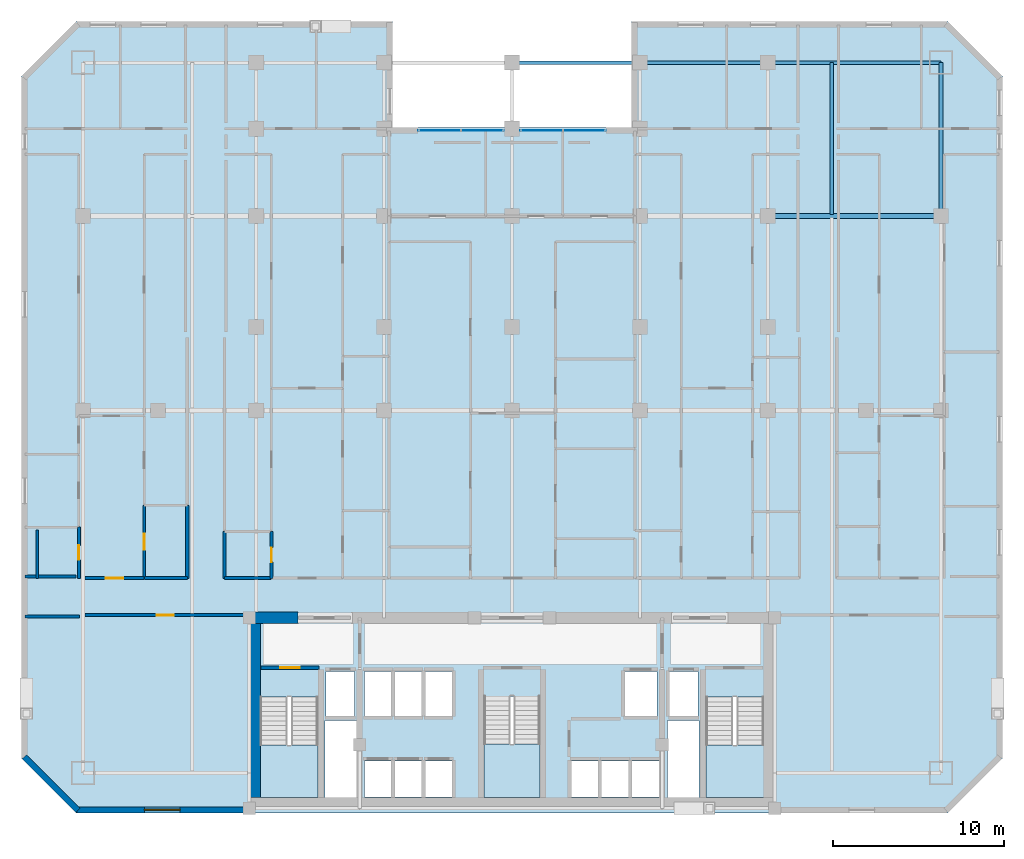
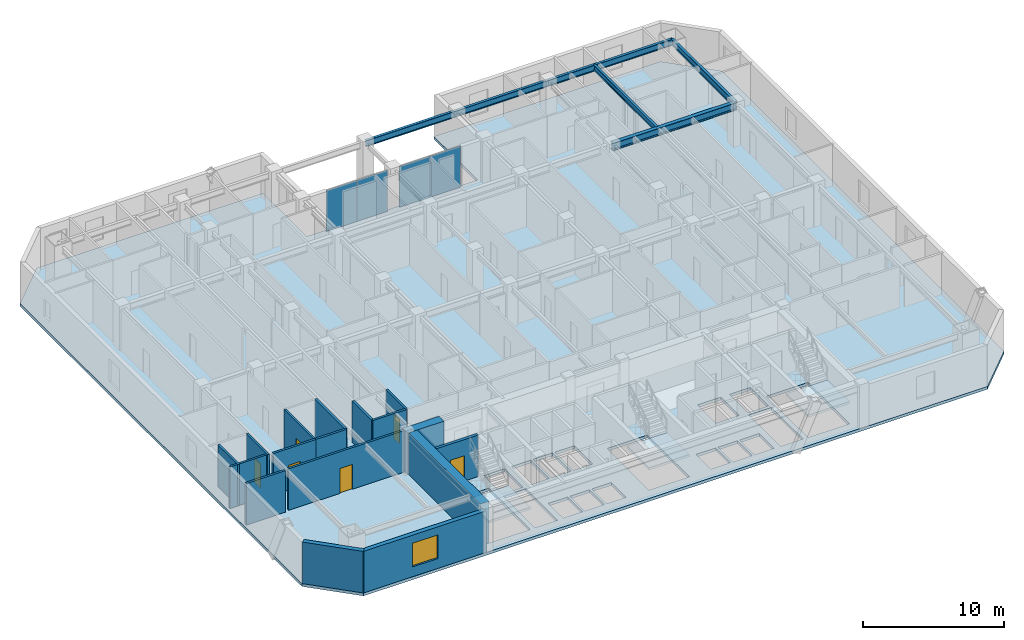
# One storey, part 6 of 14: 17 walls, 6 beams, 6 doors, 4 plates, 4 slabs, 1 window, 7 openings, 5 elements without a shape of their own.
"""IFC4 building model written with IfcOpenShell, lengths in metres."""

from ifc_helpers import new_model, si_unit, direction, frame, frame_2d, origin, origin_2d, place, context, subcontext, project, spatial, polyline, rectangle, i_section, outline, extrude, material, layer, layer_set, material_profile, profile_set, type_object, element, fill, aggregate, save


model = new_model("IFC4")

# Units and contexts
model_context = context("Model", 3, precision=1e-05, world=origin(), true_north=direction((0.0, 1.0)))
body_context = subcontext(model_context, "Body", "Model", "MODEL_VIEW")
ifc_project = project(units=[si_unit("LENGTHUNIT", "METRE"), si_unit("AREAUNIT", "SQUARE_METRE"), si_unit("VOLUMEUNIT", "CUBIC_METRE"), si_unit("PLANEANGLEUNIT", "RADIAN"), si_unit("MASSUNIT", "GRAM", prefix="KILO")], contexts=[model_context])

# Site, building, storey
site_placement = place(None, origin())
site = spatial("IfcSite", under=ifc_project, at=site_placement, CompositionType="ELEMENT")
building_placement = place(site_placement, origin())
building = spatial("IfcBuilding", under=site, at=building_placement, Name="Ventersveld Concourse Tower", CompositionType="ELEMENT")
storey_placement = place(building_placement, frame((0.0, 0.0, 81.050048828125)))
storey = spatial("IfcBuildingStorey", under=building, at=storey_placement, Name="L19", CompositionType="ELEMENT", Elevation=81.050048828125)

# Beams
ifc_material_1 = material(Name="Structural steel S355J2", Category="steel")
ifc_material_profile_1 = material_profile(ifc_material_1, i_section(OverallWidth=0.19140625, OverallDepth=0.4599609375, WebThickness=0.010009765625, FlangeThickness=0.01611328125, FilletRadius=0.01025390625, at=origin_2d()), Name="UB 457x191x82")
ifc_profile_set_1 = profile_set([ifc_material_profile_1], Name="Structural steel S355J2")
beam_type_1 = type_object("IfcBeamType", Name="BM-UB457H", PredefinedType="BEAM", material=ifc_profile_set_1)
beam_1_placement = place(storey_placement, frame((47.5, 35.094970703125, 3.369873046875), z_axis=(0.0, 1.0, 0.0), x_axis=(-1.0, 0.0, 0.0)))
element("IfcBeam", 1, at=beam_1_placement, inside=storey, type_object=beam_type_1, Name="L19 N-S Composite Floor Beam North X=47.50", PredefinedType="BEAM", context=body_context, shape_type="SweptSolid", body=[
    extrude(i_section(OverallWidth=0.19140625, OverallDepth=0.4599609375, WebThickness=0.010009765625, FlangeThickness=0.01611328125, FilletRadius=0.01025390625, at=origin_2d()), origin(), (0.0, 0.0, 1.0), 8.905029296875),
])
ifc_material_profile_2 = material_profile(ifc_material_1, i_section(OverallWidth=0.311279296875, OverallDepth=0.6357421875, WebThickness=0.018310546875, FlangeThickness=0.031494140625, FilletRadius=0.0166015625, at=origin_2d()), Name="UB 610x305x238")
ifc_profile_set_2 = profile_set([ifc_material_profile_2], Name="Structural steel S355J2")
beam_type_2 = type_object("IfcBeamType", Name="GRD-UB610H", PredefinedType="USERDEFINED", material=ifc_profile_set_2)
beam_2_placement = place(storey_placement, frame((43.75, 35.0, 3.281982421875), z_axis=(1.0, 0.0, 0.0), x_axis=(0.0, 1.0, 0.0)))
element("IfcBeam", 2, at=beam_2_placement, inside=storey, type_object=beam_type_2, Name="L19 E-W Grid Girder Y=35.00 #6", ObjectType="GIRDER", PredefinedType="USERDEFINED", context=body_context, shape_type="SweptSolid", body=[
    extrude(i_section(OverallWidth=0.311279296875, OverallDepth=0.6357421875, WebThickness=0.018310546875, FlangeThickness=0.031494140625, FilletRadius=0.0166015625, at=origin_2d()), origin(), (0.0, 0.0, 1.0), 10.14990234375),
])
ifc_material_profile_3 = material_profile(ifc_material_1, i_section(OverallWidth=0.2119140625, OverallDepth=0.54443359375, WebThickness=0.0126953125, FlangeThickness=0.021240234375, FilletRadius=0.0126953125, at=origin_2d()), Name="UB 533x210x122")
ifc_profile_set_3 = profile_set([ifc_material_profile_3], Name="Structural steel S355J2")
beam_type_3 = type_object("IfcBeamType", Name="SPD-UB533", PredefinedType="SPANDREL", material=ifc_profile_set_3)
beam_3_placement = place(storey_placement, frame((53.89990234375, 35.0, 3.32763671875), z_axis=(0.0, 1.0, 0.0), x_axis=(-1.0, 0.0, 0.0)))
element("IfcBeam", 3, at=beam_3_placement, inside=storey, type_object=beam_type_3, Name="L19 East Spandrel Beam N", PredefinedType="SPANDREL", context=body_context, shape_type="SweptSolid", body=[
    extrude(i_section(OverallWidth=0.2119140625, OverallDepth=0.54443359375, WebThickness=0.0126953125, FlangeThickness=0.021240234375, FilletRadius=0.0126953125, at=origin_2d()), origin(), (0.0, 0.0, 1.0), 9.0),
])
for number, where, z_axis, x_axis, name in (
    (4, (28.75, 44.0, 3.32763671875), (1.0, 0.0, 0.0), (0.0, 1.0, 0.0), "L19 North Spandrel Girder Y=44.00 #4"),
    (5, (36.25, 44.0, 3.32763671875), (1.0, 0.0, 0.0), (0.0, 1.0, 0.0), "L19 North Spandrel Girder Y=44.00 #5"),
):
    element("IfcBeam", number, at=place(storey_placement, frame(where, z_axis=z_axis, x_axis=x_axis)), inside=storey, type_object=beam_type_3, Name=name, PredefinedType="SPANDREL", context=body_context, shape_type="SweptSolid", body=[
        extrude(i_section(OverallWidth=0.2119140625, OverallDepth=0.54443359375, WebThickness=0.0126953125, FlangeThickness=0.021240234375, FilletRadius=0.0126953125, at=origin_2d()), origin(), (0.0, 0.0, 1.0), 7.5),
    ])
beam_4_placement = place(storey_placement, frame((43.75, 44.0, 3.32763671875), z_axis=(1.0, 0.0, 0.0), x_axis=(0.0, 1.0, 0.0)))
element("IfcBeam", 6, at=beam_4_placement, inside=storey, type_object=beam_type_3, Name="L19 North Spandrel Girder Y=44.00 #6", PredefinedType="SPANDREL", context=body_context, shape_type="SweptSolid", body=[
    extrude(i_section(OverallWidth=0.2119140625, OverallDepth=0.54443359375, WebThickness=0.0126953125, FlangeThickness=0.021240234375, FilletRadius=0.0126953125, at=origin_2d()), origin(), (0.0, 0.0, 1.0), 10.14990234375),
])

# Curtain wall, plates
ifc_material_2 = material(Name="Anodised aluminium EN AW-6063-T6", Category="aluminium")
curtain_wall_type = type_object("IfcCurtainWallType", Name="CW-SG-4", PredefinedType="NOTDEFINED", material=ifc_material_2)
curtain_wall_1_placement = place(storey_placement, origin())
curtain_wall_1 = element("IfcCurtainWall", 7, at=curtain_wall_1_placement, inside=storey, type_object=curtain_wall_type, Name="L19 L19 Sky Garden Recessed Curtain Wall", PredefinedType="NOTDEFINED")
ifc_material_3 = material(Name="Low-E double glazing IGU", Category="glass")
ifc_layer_1 = layer(ifc_material_3, 0.02392578125)
ifc_layer_set_1 = layer_set([ifc_layer_1], Name="Low-E double glazing IGU")
plate_type = type_object("IfcPlateType", Name="CWP-GLZ-24", PredefinedType="CURTAIN_PANEL", material=ifc_layer_set_1)
plate_1_placement = place(storey_placement, frame((24.5048828125, 40.02490234375, 0.02001953125), z_axis=(0.0, 0.0, 1.0), x_axis=(1.0, 0.0, 0.0)))
plate_1 = element("IfcPlate", 8, at=plate_1_placement, type_object=plate_type, Name="CW-L19-SG-S1 Glazed Panel 01-1", PredefinedType="CURTAIN_PANEL", context=body_context, shape_type="SweptSolid", body=[
    extrude(rectangle(XDim=2.5, YDim=0.02392578125, at=origin_2d()), origin(), (0.0, 0.0, 1.0), 3.56005859375),
])
plate_2_placement = place(storey_placement, frame((27.014892578125, 40.02490234375, 0.02001953125), z_axis=(0.0, 0.0, 1.0), x_axis=(1.0, 0.0, 0.0)))
plate_2 = element("IfcPlate", 9, at=plate_2_placement, type_object=plate_type, Name="CW-L19-SG-S1 Glazed Panel 02-1", PredefinedType="CURTAIN_PANEL", context=body_context, shape_type="SweptSolid", body=[
    extrude(rectangle(XDim=2.5, YDim=0.02392578125, at=origin_2d()), origin(), (0.0, 0.0, 1.0), 3.56005859375),
])
aggregate(curtain_wall_1, [plate_1, plate_2])

curtain_wall_2_placement = place(storey_placement, origin())
curtain_wall_2 = element("IfcCurtainWall", 10, at=curtain_wall_2_placement, inside=storey, type_object=curtain_wall_type, Name="L19 L19 Sky Garden Recessed Curtain Wall", PredefinedType="NOTDEFINED")
plate_3_placement = place(storey_placement, frame((30.485107421875, 40.02490234375, 0.02001953125), z_axis=(0.0, 0.0, 1.0), x_axis=(1.0, 0.0, 0.0)))
plate_3 = element("IfcPlate", 11, at=plate_3_placement, type_object=plate_type, Name="CW-L19-SG-S2 Glazed Panel 01-1", PredefinedType="CURTAIN_PANEL", context=body_context, shape_type="SweptSolid", body=[
    extrude(rectangle(XDim=2.5, YDim=0.02392578125, at=origin_2d()), origin(), (0.0, 0.0, 1.0), 3.56005859375),
])
plate_4_placement = place(storey_placement, frame((32.9951171875, 40.02490234375, 0.02001953125), z_axis=(0.0, 0.0, 1.0), x_axis=(1.0, 0.0, 0.0)))
plate_4 = element("IfcPlate", 12, at=plate_4_placement, type_object=plate_type, Name="CW-L19-SG-S2 Glazed Panel 02-1", PredefinedType="CURTAIN_PANEL", context=body_context, shape_type="SweptSolid", body=[
    extrude(rectangle(XDim=2.5, YDim=0.02392578125, at=origin_2d()), origin(), (0.0, 0.0, 1.0), 3.56005859375),
])
aggregate(curtain_wall_2, [plate_3, plate_4])

# Slab
ifc_material_4 = material(Name="Concrete C50/60", Category="concrete")
ifc_layer_2 = layer(ifc_material_4, 0.25)
ifc_layer_set_2 = layer_set([ifc_layer_2], Name="Concrete C50/60")
slab_type_1 = type_object("IfcSlabType", Name="SL-FLR-250", PredefinedType="FLOOR", material=ifc_layer_set_2)
slab_1_placement = place(storey_placement, frame((0.0, 0.0, -0.25)))
element("IfcSlab", 13, at=slab_1_placement, inside=storey, type_object=slab_type_1, Name="L19 Composite Floor Slab", PredefinedType="FLOOR", context=body_context, shape_type="SweptSolid", body=[
    extrude(outline(polyline([(3.199951171875, 0.0), (54.300048828125, 0.0), (57.5, 3.199951171875), (57.5, 43.199951171875), (54.300048828125, 46.39990234375), (35.75, 46.39990234375), (35.75, 40.199951171875), (21.75, 40.199951171875), (21.75, 46.39990234375), (3.199951171875, 46.39990234375), (0.0, 43.199951171875), (0.0, 3.199951171875), (3.199951171875, 0.0)]), holes=[polyline([(13.97998046875, 6.794921875), (13.97998046875, 0.89990234375), (17.3798828125, 0.89990234375), (17.3798828125, 6.794921875), (13.97998046875, 6.794921875)]), polyline([(40.1201171875, 6.794921875), (40.1201171875, 0.89990234375), (43.52001953125, 0.89990234375), (43.52001953125, 6.794921875), (40.1201171875, 6.794921875)]), polyline([(27.10009765625, 6.844970703125), (27.10009765625, 0.89990234375), (30.39990234375, 0.89990234375), (30.39990234375, 6.844970703125), (27.10009765625, 6.844970703125)]), polyline([(17.85009765625, 5.699951171875), (19.530029296875, 5.699951171875), (19.530029296875, 8.300048828125), (17.85009765625, 8.300048828125), (17.85009765625, 5.699951171875)]), polyline([(37.969970703125, 5.699951171875), (39.64990234375, 5.699951171875), (39.64990234375, 8.300048828125), (37.969970703125, 8.300048828125), (37.969970703125, 5.699951171875)]), polyline([(35.35009765625, 5.699951171875), (37.25, 5.699951171875), (37.25, 8.300048828125), (35.35009765625, 8.300048828125), (35.35009765625, 5.699951171875)]), polyline([(20.090087890625, 0.949951171875), (21.68994140625, 0.949951171875), (21.68994140625, 3.050048828125), (20.090087890625, 3.050048828125), (20.090087890625, 0.949951171875)]), polyline([(21.8701171875, 0.949951171875), (23.469970703125, 0.949951171875), (23.469970703125, 3.050048828125), (21.8701171875, 3.050048828125), (21.8701171875, 0.949951171875)]), polyline([(23.64990234375, 0.949951171875), (25.25, 0.949951171875), (25.25, 3.050048828125), (23.64990234375, 3.050048828125), (23.64990234375, 0.949951171875)]), polyline([(32.2099609375, 0.949951171875), (33.81005859375, 0.949951171875), (33.81005859375, 3.050048828125), (32.2099609375, 3.050048828125), (32.2099609375, 0.949951171875)]), polyline([(33.989990234375, 0.949951171875), (35.590087890625, 0.949951171875), (35.590087890625, 3.050048828125), (33.989990234375, 3.050048828125), (33.989990234375, 0.949951171875)]), polyline([(35.77001953125, 0.949951171875), (37.3701171875, 0.949951171875), (37.3701171875, 3.050048828125), (35.77001953125, 3.050048828125), (35.77001953125, 0.949951171875)]), polyline([(20.090087890625, 5.699951171875), (21.68994140625, 5.699951171875), (21.68994140625, 8.300048828125), (20.090087890625, 8.300048828125), (20.090087890625, 5.699951171875)]), polyline([(21.8701171875, 5.699951171875), (23.469970703125, 5.699951171875), (23.469970703125, 8.300048828125), (21.8701171875, 8.300048828125), (21.8701171875, 5.699951171875)]), polyline([(23.64990234375, 5.699951171875), (25.25, 5.699951171875), (25.25, 8.300048828125), (23.64990234375, 8.300048828125), (23.64990234375, 5.699951171875)]), polyline([(17.780029296875, 0.919921875), (19.6201171875, 0.919921875), (19.6201171875, 5.419921875), (17.780029296875, 5.419921875), (17.780029296875, 0.919921875)]), polyline([(37.8798828125, 0.919921875), (39.719970703125, 0.919921875), (39.719970703125, 5.419921875), (37.8798828125, 5.419921875), (37.8798828125, 0.919921875)])]), origin(), (0.0, 0.0, 1.0), 0.25),
])

# Stair, slab
stair_type_1 = type_object("IfcStairType", Name="ST-DOG-160", PredefinedType="HALF_TURN_STAIR", material=ifc_material_4)
stair_1_placement = place(storey_placement, origin())
stair_1 = element("IfcStair", 14, at=stair_1_placement, inside=storey, type_object=stair_type_1, Name="L19 Protected Tower Escape Stair ST-01", PredefinedType="HALF_TURN_STAIR")
ifc_layer_3 = layer(ifc_material_4, 0.199951171875)
ifc_layer_set_3 = layer_set([ifc_layer_3], Name="Concrete C50/60")
slab_type_2 = type_object("IfcSlabType", Name="SL-LND-200", PredefinedType="LANDING", material=ifc_layer_set_3)
slab_2_placement = place(storey_placement, frame((0.0, 0.0, 1.724853515625)))
slab_2 = element("IfcSlab", 15, at=slab_2_placement, type_object=slab_type_2, Name="ST-01 landing 1", PredefinedType="LANDING", context=body_context, shape_type="SweptSolid", body=[
    extrude(outline(polyline([(13.97998046875, 4.0), (13.97998046875, 0.89990234375), (17.3798828125, 0.89990234375), (17.3798828125, 4.0), (13.97998046875, 4.0)])), origin(), (0.0, 0.0, 1.0), 0.2001953125),
])
aggregate(stair_1, [slab_2])

stair_2_placement = place(storey_placement, origin())
stair_2 = element("IfcStair", 16, at=stair_2_placement, inside=storey, type_object=stair_type_1, Name="L19 Protected Tower Escape Stair ST-02", PredefinedType="HALF_TURN_STAIR")
slab_3_placement = place(storey_placement, frame((0.0, 0.0, 1.724853515625)))
slab_3 = element("IfcSlab", 17, at=slab_3_placement, type_object=slab_type_2, Name="ST-02 landing 1", PredefinedType="LANDING", context=body_context, shape_type="SweptSolid", body=[
    extrude(outline(polyline([(40.1201171875, 4.0), (40.1201171875, 0.89990234375), (43.52001953125, 0.89990234375), (43.52001953125, 4.0), (40.1201171875, 4.0)])), origin(), (0.0, 0.0, 1.0), 0.2001953125),
])
aggregate(stair_2, [slab_3])

stair_type_2 = type_object("IfcStairType", Name="ST-DOG-155", PredefinedType="HALF_TURN_STAIR", material=ifc_material_4)
stair_3_placement = place(storey_placement, origin())
stair_3 = element("IfcStair", 18, at=stair_3_placement, inside=storey, type_object=stair_type_2, Name="L19 Protected Central Core Escape Stair ST-03", PredefinedType="HALF_TURN_STAIR")
slab_4_placement = place(storey_placement, frame((0.0, 0.0, 1.724853515625)))
slab_4 = element("IfcSlab", 19, at=slab_4_placement, type_object=slab_type_2, Name="ST-03 landing 1", PredefinedType="LANDING", context=body_context, shape_type="SweptSolid", body=[
    extrude(outline(polyline([(27.10009765625, 4.050048828125), (27.10009765625, 0.89990234375), (30.39990234375, 0.89990234375), (30.39990234375, 4.050048828125), (27.10009765625, 4.050048828125)])), origin(), (0.0, 0.0, 1.0), 0.2001953125),
])
aggregate(stair_3, [slab_4])

# Walls
ifc_material_5 = material(Name="Concrete C60/75", Category="concrete")
ifc_layer_4 = layer(ifc_material_5, 0.699951171875)
ifc_layer_set_4 = layer_set([ifc_layer_4], Name="Concrete C60/75")
wall_type_1 = type_object("IfcWallType", Name="WL-CORE-700", PredefinedType="SHEAR", material=ifc_layer_set_4)
wall_1_placement = place(storey_placement, frame((13.64990234375, 0.919921875, 0.0), z_axis=(0.0, 0.0, 1.0), x_axis=(0.0, 1.0, 0.0)))
element("IfcWall", 20, at=wall_1_placement, inside=storey, type_object=wall_type_1, Name="L19 Rear Core West Shear Wall", PredefinedType="SHEAR", context=body_context, shape_type="SweptSolid", body=[
    extrude(rectangle(XDim=10.530029296875, YDim=0.699951171875, at=frame_2d((5.26513671875, 0.0))), origin(), (0.0, 0.0, 1.0), 3.599853515625),
])
wall_2_placement = place(storey_placement, frame((13.25, 11.449951171875, 0.0), z_axis=(0.0, 0.0, 1.0), x_axis=(1.0, 0.0, 0.0)))
element("IfcWall", 21, at=wall_2_placement, inside=storey, type_object=wall_type_1, Name="L19 Rear Core North Shear Wall NW", PredefinedType="SHEAR", context=body_context, shape_type="SweptSolid", body=[
    extrude(rectangle(XDim=2.949951171875, YDim=0.699951171875, at=frame_2d((1.47509765625, 0.0))), origin(), (0.0, 0.0, 1.0), 3.599853515625),
])

# Wall, opening, door
ifc_material_6 = material(Name="Fire-rated autoclaved aerated masonry blockwork", Category="masonry")
ifc_layer_5 = layer(ifc_material_6, 0.179931640625)
ifc_layer_set_5 = layer_set([ifc_layer_5], Name="Fire-rated autoclaved aerated masonry blockwork")
wall_type_2 = type_object("IfcWallType", Name="WL-CORR-180", PredefinedType="PARTITIONING", material=ifc_layer_set_5)
wall_3_placement = place(storey_placement, frame((3.705078125, 11.60009765625, 0.0), z_axis=(0.0, 0.0, 1.0), x_axis=(1.0, 0.0, 0.0)))
wall_3 = element("IfcWall", 22, at=wall_3_placement, inside=storey, type_object=wall_type_2, Name="L19 Interior Partition SP-L19-SW-GAL-SP-L19-COR", PredefinedType="PARTITIONING", context=body_context, shape_type="SweptSolid", body=[
    extrude(rectangle(XDim=9.43994140625, YDim=0.179931640625, at=frame_2d((4.719970703125, 0.0))), origin(), (0.0, 0.0, 1.0), 3.599853515625),
])
opening_1_placement = place(wall_3_placement, frame((4.219970703125, 0.0, 0.0)))
opening_1 = element("IfcOpeningElement", 23, at=opening_1_placement, cuts=wall_3, Name="Opening FD3", PredefinedType="OPENING", context=body_context, shape_type="SweptSolid", body=[
    extrude(rectangle(XDim=1.0, YDim=2.14990234375, at=frame_2d((0.5, 1.074951171875))), frame((0.0, 0.10009765625, 0.0), z_axis=(0.0, -1.0, 0.0), x_axis=(1.0, 0.0, 0.0)), (0.0, 0.0, 1.0), 0.199951171875),
])
ifc_material_7 = material(Name="Solid-core hardwood veneer timber", Category="wood")
door_type_1 = type_object("IfcDoorType", Name="DR-FLAT-100", OperationType="NOTDEFINED", PredefinedType="DOOR", material=ifc_material_7)
door_1_placement = place(opening_1_placement, origin())
door_1 = element("IfcDoor", 24, at=door_1_placement, inside=storey, type_object=door_type_1, Name="L19 Interior Door SP-L19-SW-GAL to SP-L19-COR (D-L19-0883)", OperationType="SINGLE_SWING_LEFT", OverallHeight=2.14990234375, OverallWidth=1.0, PredefinedType="DOOR", context=body_context, shape_type="SweptSolid", body=[
    extrude(rectangle(XDim=1.0, YDim=2.14990234375, at=frame_2d((0.5, 1.074951171875))), frame((0.0, 0.02490234375, 0.0), z_axis=(0.0, -1.0, 0.0), x_axis=(1.0, 0.0, 0.0)), (0.0, 0.0, 1.0), 0.050048828125),
])
fill(opening_1, door_1)

wall_4_placement = place(storey_placement, frame((3.705078125, 13.77001953125, 0.0), z_axis=(0.0, 0.0, 1.0), x_axis=(1.0, 0.0, 0.0)))
wall_4 = element("IfcWall", 25, at=wall_4_placement, inside=storey, type_object=wall_type_2, Name="L19 Interior Partition SP-L19-COR-SP-L19-19NW-FOY", PredefinedType="PARTITIONING", context=body_context, shape_type="SweptSolid", body=[
    extrude(rectangle(XDim=3.48095703125, YDim=0.179931640625, at=frame_2d((1.740478515625, 0.0))), origin(), (0.0, 0.0, 1.0), 3.599853515625),
])
opening_2_placement = place(wall_4_placement, frame((1.240478515625, 0.0, 0.0)))
opening_2 = element("IfcOpeningElement", 26, at=opening_2_placement, cuts=wall_4, Name="Opening FD3", PredefinedType="OPENING", context=body_context, shape_type="SweptSolid", body=[
    extrude(rectangle(XDim=1.0, YDim=2.14990234375, at=frame_2d((0.5, 1.074951171875))), frame((0.0, 0.10009765625, 0.0), z_axis=(0.0, -1.0, 0.0), x_axis=(1.0, 0.0, 0.0)), (0.0, 0.0, 1.0), 0.199951171875),
])
door_2_placement = place(opening_2_placement, origin())
door_2 = element("IfcDoor", 27, at=door_2_placement, inside=storey, type_object=door_type_1, Name="L19 Interior Door SP-L19-COR to SP-L19-19NW-FOY (FD-L19-0885)", OperationType="SINGLE_SWING_LEFT", OverallHeight=2.14990234375, OverallWidth=1.0, PredefinedType="DOOR", context=body_context, shape_type="SweptSolid", body=[
    extrude(rectangle(XDim=1.0, YDim=2.14990234375, at=frame_2d((0.5, 1.074951171875))), frame((0.0, 0.02490234375, 0.0), z_axis=(0.0, -1.0, 0.0), x_axis=(1.0, 0.0, 0.0)), (0.0, 0.0, 1.0), 0.050048828125),
])
fill(opening_2, door_2)

# Walls
wall_5_placement = place(storey_placement, frame((9.7099609375, 13.764892578125, 0.0), z_axis=(0.0, 0.0, 1.0), x_axis=(0.0, 1.0, 0.0)))
element("IfcWall", 28, at=wall_5_placement, inside=storey, type_object=wall_type_2, Name="L19 Interior Partition SP-L19-COR-SP-L19-19NW-KIT", PredefinedType="PARTITIONING", context=body_context, shape_type="SweptSolid", body=[
    extrude(rectangle(XDim=4.27685546875, YDim=0.179931640625, at=frame_2d((2.138427734375, 0.0))), origin(), (0.0, 0.0, 1.0), 3.599853515625),
])
wall_6_placement = place(storey_placement, frame((7.216064453125, 13.77001953125, 0.0), z_axis=(0.0, 0.0, 1.0), x_axis=(1.0, 0.0, 0.0)))
element("IfcWall", 29, at=wall_6_placement, inside=storey, type_object=wall_type_2, Name="L19 Interior Partition SP-L19-COR-SP-L19-19NW-KIT", PredefinedType="PARTITIONING", context=body_context, shape_type="SweptSolid", body=[
    extrude(rectangle(XDim=2.4990234375, YDim=0.179931640625, at=frame_2d((1.24951171875, 0.0))), origin(), (0.0, 0.0, 1.0), 3.599853515625),
])
wall_7_placement = place(storey_placement, frame((11.885009765625, 13.77001953125, 0.0), z_axis=(0.0, 0.0, 1.0), x_axis=(1.0, 0.0, 0.0)))
element("IfcWall", 30, at=wall_7_placement, inside=storey, type_object=wall_type_2, Name="L19 Interior Partition SP-L19-COR-SP-L19-19CW-BATH", PredefinedType="PARTITIONING", context=body_context, shape_type="SweptSolid", body=[
    extrude(rectangle(XDim=2.7265625, YDim=0.179931640625, at=frame_2d((1.36328125, 0.0))), origin(), (0.0, 0.0, 1.0), 3.599853515625),
])
wall_8_placement = place(storey_placement, frame((11.889892578125, 13.764892578125, 0.0), z_axis=(0.0, 0.0, 1.0), x_axis=(0.0, 1.0, 0.0)))
element("IfcWall", 31, at=wall_8_placement, inside=storey, type_object=wall_type_2, Name="L19 Interior Partition SP-L19-COR-SP-L19-19CW-BATH", PredefinedType="PARTITIONING", context=body_context, shape_type="SweptSolid", body=[
    extrude(rectangle(XDim=2.751708984375, YDim=0.179931640625, at=frame_2d((1.3759765625, 0.0))), origin(), (0.0, 0.0, 1.0), 3.599853515625),
])
wall_9_placement = place(storey_placement, frame((0.2099609375, 11.52001953125, 0.0), z_axis=(0.0, 0.0, 1.0), x_axis=(1.0, 0.0, 0.0)))
element("IfcWall", 32, at=wall_9_placement, inside=storey, type_object=wall_type_2, Name="L19 Room Enclosure Wall SP-L19-SW-GAL", PredefinedType="PARTITIONING", context=body_context, shape_type="SweptSolid", body=[
    extrude(rectangle(XDim=3.177734375, YDim=0.179931640625, at=frame_2d((1.5888671875, 0.0))), origin(), (0.0, 0.0, 1.0), 3.599853515625),
])

# Wall, opening, door
ifc_layer_6 = layer(ifc_material_6, 0.219970703125)
ifc_layer_set_6 = layer_set([ifc_layer_6], Name="Fire-rated autoclaved aerated masonry blockwork")
wall_type_3 = type_object("IfcWallType", Name="WL-HOIST-220", PredefinedType="SOLIDWALL", material=ifc_layer_set_6)
wall_10_placement = place(storey_placement, frame((14.0400390625, 8.52001953125, 0.0), z_axis=(0.0, 0.0, 1.0), x_axis=(1.0, 0.0, 0.0)))
wall_10 = element("IfcWall", 33, at=wall_10_placement, inside=storey, type_object=wall_type_3, Name="L19 Escape Stair ST01 Fire Wall", PredefinedType="SOLIDWALL", context=body_context, shape_type="SweptSolid", body=[
    extrude(rectangle(XDim=3.39990234375, YDim=0.219970703125, at=frame_2d((1.699951171875, 0.0))), origin(), (0.0, 0.0, 1.0), 3.599853515625),
])
opening_3_placement = place(wall_10_placement, frame((1.125, 0.0, 0.0)))
opening_3 = element("IfcOpeningElement", 34, at=opening_3_placement, cuts=wall_10, Name="Opening FD1", PredefinedType="OPENING", context=body_context, shape_type="SweptSolid", body=[
    extrude(rectangle(XDim=1.14990234375, YDim=2.199951171875, at=frame_2d((0.574951171875, 1.10009765625))), frame((0.0, 0.1201171875, 0.0), z_axis=(0.0, -1.0, 0.0), x_axis=(1.0, 0.0, 0.0)), (0.0, 0.0, 1.0), 0.239990234375),
])
ifc_material_8 = material(Name="Galvanised painted steel", Category="steel")
door_type_2 = type_object("IfcDoorType", Name="DR-STAIR-115", OperationType="NOTDEFINED", PredefinedType="DOOR", material=ifc_material_8)
door_3_placement = place(opening_3_placement, origin())
door_3 = element("IfcDoor", 35, at=door_3_placement, inside=storey, type_object=door_type_2, Name="L19 Escape Stair Door ST01 (SD-L19-0874)", OperationType="SINGLE_SWING_LEFT", OverallHeight=2.199951171875, OverallWidth=1.14990234375, PredefinedType="DOOR", context=body_context, shape_type="SweptSolid", body=[
    extrude(rectangle(XDim=1.14990234375, YDim=2.199951171875, at=frame_2d((0.574951171875, 1.10009765625))), frame((0.0, 0.02490234375, 0.0), z_axis=(0.0, -1.0, 0.0), x_axis=(1.0, 0.0, 0.0)), (0.0, 0.0, 1.0), 0.050048828125),
])
fill(opening_3, door_3)

ifc_material_9 = material(Name="Autoclaved aerated masonry blockwork", Category="masonry")
ifc_layer_7 = layer(ifc_material_9, 0.14990234375)
ifc_layer_set_7 = layer_set([ifc_layer_7], Name="Autoclaved aerated masonry blockwork")
wall_type_4 = type_object("IfcWallType", Name="WL-INT-150", PredefinedType="PARTITIONING", material=ifc_layer_set_7)
wall_11_placement = place(storey_placement, frame((7.180908203125, 13.764892578125, 0.0), z_axis=(0.0, 0.0, 1.0), x_axis=(0.0, 1.0, 0.0)))
wall_11 = element("IfcWall", 36, at=wall_11_placement, inside=storey, type_object=wall_type_4, Name="L19 Interior Partition SP-L19-19NW-FOY-SP-L19-19NW-KIT", PredefinedType="PARTITIONING", context=body_context, shape_type="SweptSolid", body=[
    extrude(rectangle(XDim=4.27685546875, YDim=0.14990234375, at=frame_2d((2.138427734375, 0.0))), origin(), (0.0, 0.0, 1.0), 3.599853515625),
])
opening_4_placement = place(wall_11_placement, frame((1.678466796875, 0.0, 0.0)))
opening_4 = element("IfcOpeningElement", 37, at=opening_4_placement, cuts=wall_11, Name="Opening ID1", PredefinedType="OPENING", context=body_context, shape_type="SweptSolid", body=[
    extrude(rectangle(XDim=0.919921875, YDim=2.10009765625, at=frame_2d((0.4599609375, 1.050048828125))), frame((0.0, 0.0849609375, 0.0), z_axis=(0.0, -1.0, 0.0), x_axis=(1.0, 0.0, 0.0)), (0.0, 0.0, 1.0), 0.169921875),
])
door_type_3 = type_object("IfcDoorType", Name="DR-ROOM-092", OperationType="NOTDEFINED", PredefinedType="DOOR", material=ifc_material_7)
door_4_placement = place(opening_4_placement, origin())
door_4 = element("IfcDoor", 38, at=door_4_placement, inside=storey, type_object=door_type_3, Name="L19 Interior Door SP-L19-19NW-FOY to SP-L19-19NW-KIT (D-L19-0894)", OperationType="SINGLE_SWING_RIGHT", OverallHeight=2.10009765625, OverallWidth=0.919921875, PredefinedType="DOOR", context=body_context, shape_type="SweptSolid", body=[
    extrude(rectangle(XDim=0.919921875, YDim=2.10009765625, at=frame_2d((0.4599609375, 1.050048828125))), frame((0.0, 0.02490234375, 0.0), z_axis=(0.0, -1.0, 0.0), x_axis=(1.0, 0.0, 0.0)), (0.0, 0.0, 1.0), 0.050048828125),
])
fill(opening_4, door_4)

# Wall, opening, window
ifc_material_10 = material(Name="Precast concrete C45/55", Category="concrete")
ifc_layer_8 = layer(ifc_material_10, 0.35009765625)
ifc_layer_set_8 = layer_set([ifc_layer_8], Name="Precast concrete C45/55")
wall_type_5 = type_object("IfcWallType", Name="WL-PREC-350", PredefinedType="SOLIDWALL", material=ifc_layer_set_8)
wall_12_placement = place(storey_placement, frame((3.239990234375, 0.179931640625, 0.0), z_axis=(0.0, 0.0, 1.0), x_axis=(1.0, 0.0, 0.0)))
wall_12 = element("IfcWall", 39, at=wall_12_placement, inside=storey, type_object=wall_type_5, Name="L19 South-West Flank Precast Wall", PredefinedType="SOLIDWALL", context=body_context, shape_type="SweptSolid", body=[
    extrude(rectangle(XDim=10.010009765625, YDim=0.35009765625, at=frame_2d((5.0048828125, 0.0))), origin(), (0.0, 0.0, 1.0), 3.599853515625),
])
opening_5_placement = place(wall_12_placement, frame((3.955078125, 0.0, 0.85009765625)))
opening_5 = element("IfcOpeningElement", 40, at=opening_5_placement, cuts=wall_12, Name="Opening W7", PredefinedType="OPENING", context=body_context, shape_type="SweptSolid", body=[
    extrude(rectangle(XDim=2.10009765625, YDim=2.050048828125, at=frame_2d((1.050048828125, 1.02490234375))), frame((0.0, 0.18505859375, 0.0), z_axis=(0.0, -1.0, 0.0), x_axis=(1.0, 0.0, 0.0)), (0.0, 0.0, 1.0), 0.3701171875),
])
ifc_material_11 = material(Name="Tempered acoustic Low-E IGU", Category="glass")
window_type = type_object("IfcWindowType", Name="WIN-210x205", PartitioningType="SINGLE_PANEL", PredefinedType="WINDOW", material=ifc_material_11)
window_placement = place(opening_5_placement, origin())
window = element("IfcWindow", 41, at=window_placement, inside=storey, type_object=window_type, Name="L19 Punched Low-E Window W-0189", OverallHeight=2.050048828125, OverallWidth=2.10009765625, PartitioningType="SINGLE_PANEL", PredefinedType="WINDOW", context=body_context, shape_type="SweptSolid", body=[
    extrude(rectangle(XDim=2.10009765625, YDim=2.050048828125, at=frame_2d((1.050048828125, 1.02490234375))), frame((0.0, 0.030029296875, 0.0), z_axis=(0.0, -1.0, 0.0), x_axis=(1.0, 0.0, 0.0)), (0.0, 0.0, 1.0), 0.06005859375),
])
fill(opening_5, window)

# Wall
wall_13_placement = place(storey_placement, frame((0.152099609375, 3.29541015625, 0.0), z_axis=(0.0, 0.0, 1.0), x_axis=(0.707106781187, -0.707106781187, 0.0)))
element("IfcWall", 42, at=wall_13_placement, inside=storey, type_object=wall_type_5, Name="L19 Highveld Precast Facade Wall E12", PredefinedType="SOLIDWALL", context=body_context, shape_type="SweptSolid", body=[
    extrude(rectangle(XDim=4.4453125, YDim=0.35009765625, at=frame_2d((2.22265625, 0.0))), origin(), (0.0, 0.0, 1.0), 3.599853515625),
])

# Wall, opening, door
ifc_layer_9 = layer(ifc_material_9, 0.1650390625)
ifc_layer_set_9 = layer_set([ifc_layer_9], Name="Autoclaved aerated masonry blockwork")
wall_type_6 = type_object("IfcWallType", Name="WL-WET-165", PredefinedType="PLUMBINGWALL", material=ifc_layer_set_9)
wall_14_placement = place(storey_placement, frame((3.35888671875, 13.764892578125, 0.0), z_axis=(0.0, 0.0, 1.0), x_axis=(0.0, 1.0, 0.0)))
wall_14 = element("IfcWall", 43, at=wall_14_placement, inside=storey, type_object=wall_type_6, Name="L19 Interior Partition SP-L19-19NW-FOY-SP-L19-19NW-BATH", PredefinedType="PLUMBINGWALL", context=body_context, shape_type="SweptSolid", body=[
    extrude(rectangle(XDim=2.999755859375, YDim=0.1650390625, at=frame_2d((1.5, 0.0))), origin(), (0.0, 0.0, 1.0), 3.599853515625),
])
opening_6_placement = place(wall_14_placement, frame((1.074951171875, 0.0, 0.0)))
opening_6 = element("IfcOpeningElement", 44, at=opening_6_placement, cuts=wall_14, Name="Opening ID2", PredefinedType="OPENING", context=body_context, shape_type="SweptSolid", body=[
    extrude(rectangle(XDim=0.85009765625, YDim=2.10009765625, at=frame_2d((0.425048828125, 1.050048828125))), frame((0.0, 0.092529296875, 0.0), z_axis=(0.0, -1.0, 0.0), x_axis=(1.0, 0.0, 0.0)), (0.0, 0.0, 1.0), 0.18505859375),
])
door_type_4 = type_object("IfcDoorType", Name="DR-BATH-085", OperationType="NOTDEFINED", PredefinedType="DOOR", material=ifc_material_7)
door_5_placement = place(opening_6_placement, origin())
door_5 = element("IfcDoor", 45, at=door_5_placement, inside=storey, type_object=door_type_4, Name="L19 Interior Door SP-L19-19NW-FOY to SP-L19-19NW-BATH (D-L19-0891)", OperationType="SINGLE_SWING_LEFT", OverallHeight=2.10009765625, OverallWidth=0.85009765625, PredefinedType="DOOR", context=body_context, shape_type="SweptSolid", body=[
    extrude(rectangle(XDim=0.85009765625, YDim=2.10009765625, at=frame_2d((0.425048828125, 1.050048828125))), frame((0.0, 0.02490234375, 0.0), z_axis=(0.0, -1.0, 0.0), x_axis=(1.0, 0.0, 0.0)), (0.0, 0.0, 1.0), 0.050048828125),
])
fill(opening_6, door_5)

wall_15_placement = place(storey_placement, frame((14.646484375, 13.764892578125, 0.0), z_axis=(0.0, 0.0, 1.0), x_axis=(0.0, 1.0, 0.0)))
wall_15 = element("IfcWall", 46, at=wall_15_placement, inside=storey, type_object=wall_type_6, Name="L19 Interior Partition SP-L19-19CW-FOY-SP-L19-19CW-BATH", PredefinedType="PLUMBINGWALL", context=body_context, shape_type="SweptSolid", body=[
    extrude(rectangle(XDim=2.751708984375, YDim=0.1650390625, at=frame_2d((1.3759765625, 0.0))), origin(), (0.0, 0.0, 1.0), 3.599853515625),
])
opening_7_placement = place(wall_15_placement, frame((0.95068359375, 0.0, 0.0)))
opening_7 = element("IfcOpeningElement", 47, at=opening_7_placement, cuts=wall_15, Name="Opening ID2", PredefinedType="OPENING", context=body_context, shape_type="SweptSolid", body=[
    extrude(rectangle(XDim=0.85009765625, YDim=2.10009765625, at=frame_2d((0.425048828125, 1.050048828125))), frame((0.0, 0.092529296875, 0.0), z_axis=(0.0, -1.0, 0.0), x_axis=(1.0, 0.0, 0.0)), (0.0, 0.0, 1.0), 0.18505859375),
])
door_6_placement = place(opening_7_placement, origin())
door_6 = element("IfcDoor", 48, at=door_6_placement, inside=storey, type_object=door_type_4, Name="L19 Interior Door SP-L19-19CW-FOY to SP-L19-19CW-BATH (D-L19-0912)", OperationType="SINGLE_SWING_RIGHT", OverallHeight=2.10009765625, OverallWidth=0.85009765625, PredefinedType="DOOR", context=body_context, shape_type="SweptSolid", body=[
    extrude(rectangle(XDim=0.85009765625, YDim=2.10009765625, at=frame_2d((0.425048828125, 1.050048828125))), frame((0.0, 0.02490234375, 0.0), z_axis=(0.0, -1.0, 0.0), x_axis=(1.0, 0.0, 0.0)), (0.0, 0.0, 1.0), 0.050048828125),
])
fill(opening_7, door_6)

# Walls
wall_16_placement = place(storey_placement, frame((3.194091796875, 13.860107421875, 0.0), z_axis=(0.0, 0.0, 1.0), x_axis=(-1.0, 0.0, 0.0)))
element("IfcWall", 49, at=wall_16_placement, inside=storey, type_object=wall_type_6, Name="L19 Room Enclosure Wall SP-L19-19NW-BATH", PredefinedType="PLUMBINGWALL", context=body_context, shape_type="SweptSolid", body=[
    extrude(rectangle(XDim=2.984130859375, YDim=0.1650390625, at=frame_2d((1.4921875, 0.0))), origin(), (0.0, 0.0, 1.0), 3.599853515625),
])
wall_17_placement = place(storey_placement, frame((0.919921875, 13.764892578125, 0.0), z_axis=(0.0, 0.0, 1.0), x_axis=(0.0, 1.0, 0.0)))
element("IfcWall", 50, at=wall_17_placement, inside=storey, type_object=wall_type_6, Name="L19 Room Enclosure Wall SP-L19-19NW-BATH", PredefinedType="PLUMBINGWALL", context=body_context, shape_type="SweptSolid", body=[
    extrude(rectangle(XDim=2.829833984375, YDim=0.1650390625, at=frame_2d((1.4150390625, 0.0))), origin(), (0.0, 0.0, 1.0), 3.599853515625),
])

save(model, "model.ifc")
